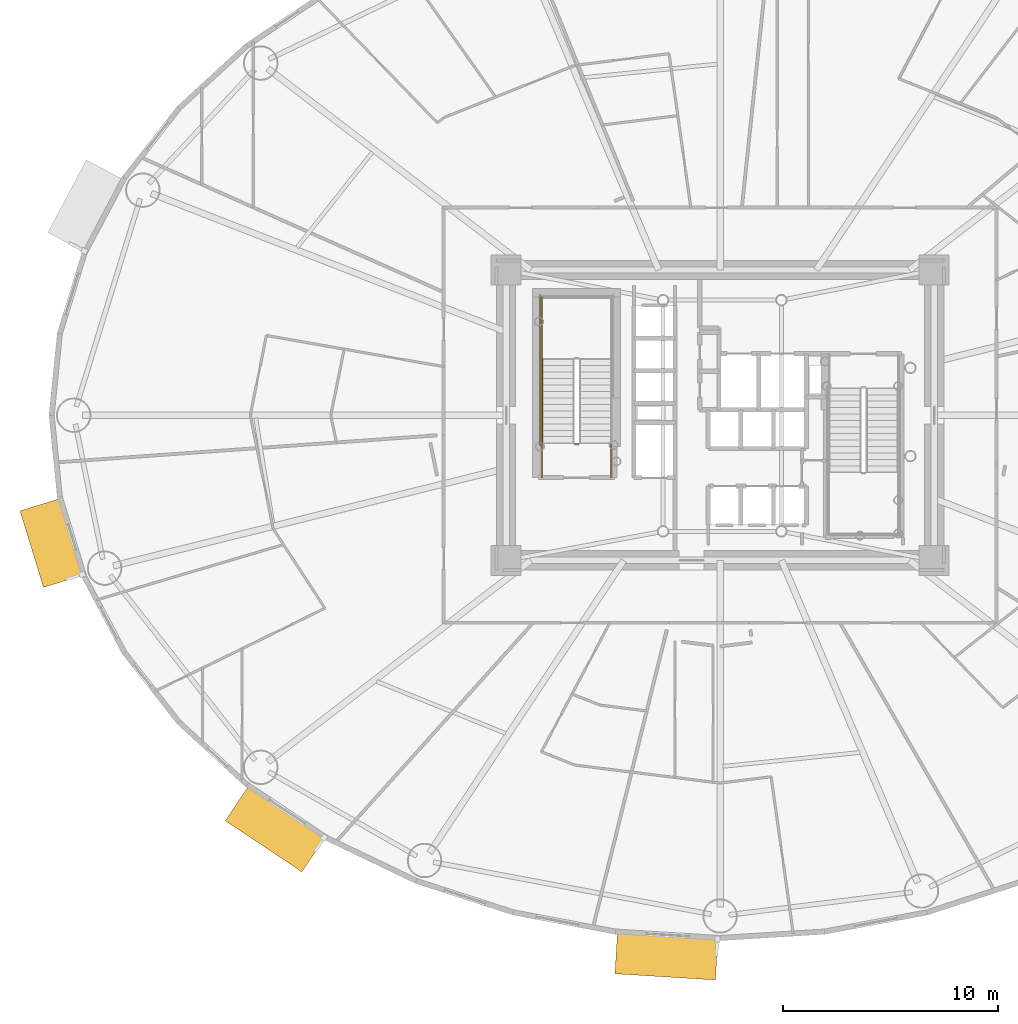
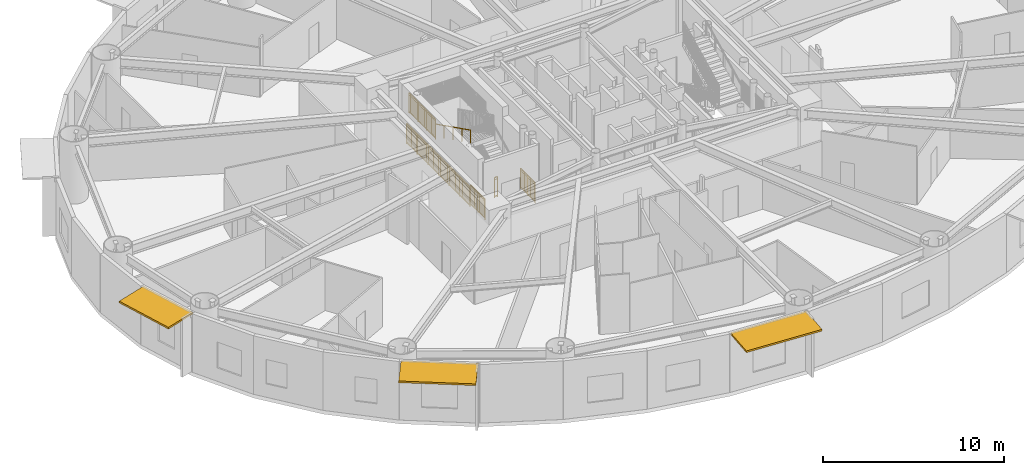
# One storey, part 15 of 21: 6 railings, 3 shading devices.
"""IFC4 building model written with IfcOpenShell, lengths in metres."""

from ifc_helpers import new_model, si_unit, direction, frame, origin, origin_2d, place, context, subcontext, project, spatial, rectangle, extrude, source, transform, mapped, material, layer, layer_set, type_object, element, save


model = new_model("IFC4")

# Units and contexts
model_context = context("Model", 3, precision=1e-05, world=origin(), true_north=direction((0.0, 1.0)))
body_context = subcontext(model_context, "Body", "Model", "MODEL_VIEW")
ifc_project = project(units=[si_unit("LENGTHUNIT", "METRE"), si_unit("AREAUNIT", "SQUARE_METRE"), si_unit("VOLUMEUNIT", "CUBIC_METRE"), si_unit("PLANEANGLEUNIT", "RADIAN"), si_unit("MASSUNIT", "GRAM", prefix="KILO")], contexts=[model_context])

# Site, building, storey
site_placement = place(None, origin())
site = spatial("IfcSite", under=ifc_project, at=site_placement, CompositionType="ELEMENT")
building_placement = place(site_placement, origin())
building = spatial("IfcBuilding", under=site, at=building_placement, Name="Linh Dai School and Residence Tower", CompositionType="ELEMENT")
storey_placement = place(building_placement, frame((0.0, 0.0, 61.800048828125)))
storey = spatial("IfcBuildingStorey", under=building, at=storey_placement, Name="L14", CompositionType="ELEMENT", Elevation=61.800048828125)

# Shading devices
ifc_material_1 = material(Name="Terracotta Ceramic Sunshade", Category="masonry")
ifc_layer = layer(ifc_material_1, 0.1201171875)
ifc_layer_set = layer_set([ifc_layer], Name="Terracotta Ceramic Sunshade")
shading_device_type = type_object("IfcShadingDeviceType", Name="SHD-TC-2000", PredefinedType="USERDEFINED", material=ifc_layer_set)
shared_shape_1 = source(origin(), body_context, "Body", "SweptSolid", [
    extrude(rectangle(XDim=3.7197265625, YDim=2.0, at=origin_2d()), origin(), (0.0, 0.0, 1.0), 0.1201171875),
])
shading_device_1_placement = place(storey_placement, frame((4.956787109375, 21.0693359375, 3.809814453125), z_axis=(0.0, 0.0, 1.0), x_axis=(-0.293145733514, 0.956067769001, 0.0)))
element("IfcShadingDevice", 1, at=shading_device_1_placement, inside=storey, type_object=shading_device_type, Name="L14 Terracotta Horizontal Sunshade Band 22", ObjectType="SUNSHADE", PredefinedType="USERDEFINED", context=body_context, shape_type="MappedRepresentation", body=[
    mapped(shared_shape_1, transform((0.0, 0.0, 0.0), x_axis=(1.0, 0.0, 0.0), y_axis=(0.0, 1.0, 0.0), z_axis=(0.0, 0.0, 1.0), scale=1.0)),
])
shared_shape_2 = source(origin(), body_context, "Body", "SweptSolid", [
    extrude(rectangle(XDim=4.28173828125, YDim=2.0, at=origin_2d()), origin(), (0.0, 0.0, 1.0), 0.1201171875),
])
shading_device_2_placement = place(storey_placement, frame((15.33544921875, 7.7861328125, 3.809814453125), z_axis=(0.0, 0.0, 1.0), x_axis=(-0.831250578927, 0.555897899828, 0.0)))
element("IfcShadingDevice", 2, at=shading_device_2_placement, inside=storey, type_object=shading_device_type, Name="L14 Terracotta Horizontal Sunshade Band 26", ObjectType="SUNSHADE", PredefinedType="USERDEFINED", context=body_context, shape_type="MappedRepresentation", body=[
    mapped(shared_shape_2, transform((0.0, 0.0, 0.0), x_axis=(1.0, 0.0, 0.0), y_axis=(0.0, 1.0, 0.0), z_axis=(0.0, 0.0, 1.0), scale=1.0)),
])
shared_shape_3 = source(origin(), body_context, "Body", "SweptSolid", [
    extrude(rectangle(XDim=4.6796875, YDim=2.0, at=origin_2d()), origin(), (0.0, 0.0, 1.0), 0.1201171875),
])
shading_device_3_placement = place(storey_placement, frame((33.50830078125, 1.88671875, 3.809814453125), z_axis=(0.0, 0.0, 1.0), x_axis=(-0.998106677027, 0.061506595367, 0.0)))
element("IfcShadingDevice", 3, at=shading_device_3_placement, inside=storey, type_object=shading_device_type, Name="L14 Terracotta Horizontal Sunshade Band 30", ObjectType="SUNSHADE", PredefinedType="USERDEFINED", context=body_context, shape_type="MappedRepresentation", body=[
    mapped(shared_shape_3, transform((0.0, 0.0, 0.0), x_axis=(1.0, 0.0, 0.0), y_axis=(0.0, 1.0, 0.0), z_axis=(0.0, 0.0, 1.0), scale=1.0)),
])

# Railings
ifc_material_2 = material(Name="Structural Steel S355JR", Category="steel")
railing_type_1 = type_object("IfcRailingType", Name="RL-ST-GUARD-1400", PredefinedType="GUARDRAIL", material=ifc_material_2)
shared_shape_4 = source(origin(), body_context, "Body", "SweptSolid", [
    extrude(rectangle(XDim=0.048095703125, YDim=0.048095703125, at=origin_2d()), frame((0.0, 0.0, 1.3759765625), z_axis=(-1.0, 0.0, 0.0), x_axis=(0.0, -1.0, 0.0)), (0.0, 0.0, 1.0), 0.199951171875),
    extrude(rectangle(XDim=0.048095703125, YDim=0.048095703125, at=origin_2d()), frame((0.0, 0.0, 0.10009765625), z_axis=(-1.0, 0.0, 0.0), x_axis=(0.0, -1.0, 0.0)), (0.0, 0.0, 1.0), 0.199951171875),
    extrude(rectangle(XDim=0.030029296875, YDim=0.030029296875, at=origin_2d()), frame((0.0, 0.0, 1.239990234375), z_axis=(-1.0, 0.0, 0.0), x_axis=(0.0, -1.0, 0.0)), (0.0, 0.0, 1.0), 0.199951171875),
    extrude(rectangle(XDim=0.0419921875, YDim=0.0419921875, at=origin_2d()), origin(), (0.0, 0.0, 1.0), 1.3759765625),
    extrude(rectangle(XDim=0.0419921875, YDim=0.0419921875, at=origin_2d()), frame((-0.199951171875, 0.0, 0.0)), (0.0, 0.0, 1.0), 1.3759765625),
])
railing_1_placement = place(storey_placement, frame((29.429931640625, 25.64990234375, 0.0)))
element("IfcRailing", 4, at=railing_1_placement, inside=storey, type_object=railing_type_1, Name="L14 ST1 stair guard 7", PredefinedType="GUARDRAIL", context=body_context, shape_type="MappedRepresentation", body=[
    mapped(shared_shape_4, transform((0.0, 0.0, 0.0), x_axis=(1.0, 0.0, 0.0), y_axis=(0.0, 1.0, 0.0), z_axis=(0.0, 0.0, 1.0), scale=1.0)),
])
shared_shape_5 = source(origin(), body_context, "Body", "SweptSolid", [
    extrude(rectangle(XDim=0.048095703125, YDim=0.048095703125, at=origin_2d()), frame((0.0, 0.0, 1.3759765625), z_axis=(0.0, 1.0, 0.0), x_axis=(-1.0, 0.0, 0.0)), (0.0, 0.0, 1.0), 1.599853515625),
    extrude(rectangle(XDim=0.048095703125, YDim=0.048095703125, at=origin_2d()), frame((0.0, 0.0, 0.10009765625), z_axis=(0.0, 1.0, 0.0), x_axis=(-1.0, 0.0, 0.0)), (0.0, 0.0, 1.0), 1.599853515625),
    extrude(rectangle(XDim=0.030029296875, YDim=0.030029296875, at=origin_2d()), frame((0.0, 0.0, 1.239990234375), z_axis=(0.0, 1.0, 0.0), x_axis=(-1.0, 0.0, 0.0)), (0.0, 0.0, 1.0), 1.599853515625),
    extrude(rectangle(XDim=0.02001953125, YDim=0.02001953125, at=origin_2d()), frame((0.0, 0.093994140625, 0.10009765625)), (0.0, 0.0, 1.0), 1.251708984375),
    extrude(rectangle(XDim=0.02001953125, YDim=0.02001953125, at=origin_2d()), frame((0.0, 0.188232421875, 0.10009765625)), (0.0, 0.0, 1.0), 1.251708984375),
    extrude(rectangle(XDim=0.02001953125, YDim=0.02001953125, at=origin_2d()), frame((0.0, 0.2822265625, 0.10009765625)), (0.0, 0.0, 1.0), 1.251708984375),
    extrude(rectangle(XDim=0.02001953125, YDim=0.02001953125, at=origin_2d()), frame((0.0, 0.37646484375, 0.10009765625)), (0.0, 0.0, 1.0), 1.251708984375),
    extrude(rectangle(XDim=0.02001953125, YDim=0.02001953125, at=origin_2d()), frame((0.0, 0.470458984375, 0.10009765625)), (0.0, 0.0, 1.0), 1.251708984375),
    extrude(rectangle(XDim=0.02001953125, YDim=0.02001953125, at=origin_2d()), frame((0.0, 0.564697265625, 0.10009765625)), (0.0, 0.0, 1.0), 1.251708984375),
    extrude(rectangle(XDim=0.02001953125, YDim=0.02001953125, at=origin_2d()), frame((0.0, 0.65869140625, 0.10009765625)), (0.0, 0.0, 1.0), 1.251708984375),
    extrude(rectangle(XDim=0.02001953125, YDim=0.02001953125, at=origin_2d()), frame((0.0, 0.7529296875, 0.10009765625)), (0.0, 0.0, 1.0), 1.251708984375),
    extrude(rectangle(XDim=0.02001953125, YDim=0.02001953125, at=origin_2d()), frame((0.0, 0.846923828125, 0.10009765625)), (0.0, 0.0, 1.0), 1.251708984375),
    extrude(rectangle(XDim=0.02001953125, YDim=0.02001953125, at=origin_2d()), frame((0.0, 0.941162109375, 0.10009765625)), (0.0, 0.0, 1.0), 1.251708984375),
    extrude(rectangle(XDim=0.02001953125, YDim=0.02001953125, at=origin_2d()), frame((0.0, 1.03515625, 0.10009765625)), (0.0, 0.0, 1.0), 1.251708984375),
    extrude(rectangle(XDim=0.02001953125, YDim=0.02001953125, at=origin_2d()), frame((0.0, 1.12939453125, 0.10009765625)), (0.0, 0.0, 1.0), 1.251708984375),
    extrude(rectangle(XDim=0.02001953125, YDim=0.02001953125, at=origin_2d()), frame((0.0, 1.223388671875, 0.10009765625)), (0.0, 0.0, 1.0), 1.251708984375),
    extrude(rectangle(XDim=0.02001953125, YDim=0.02001953125, at=origin_2d()), frame((0.0, 1.317626953125, 0.10009765625)), (0.0, 0.0, 1.0), 1.251708984375),
    extrude(rectangle(XDim=0.02001953125, YDim=0.02001953125, at=origin_2d()), frame((0.0, 1.41162109375, 0.10009765625)), (0.0, 0.0, 1.0), 1.251708984375),
    extrude(rectangle(XDim=0.02001953125, YDim=0.02001953125, at=origin_2d()), frame((0.0, 1.505859375, 0.10009765625)), (0.0, 0.0, 1.0), 1.251708984375),
    extrude(rectangle(XDim=0.0419921875, YDim=0.0419921875, at=origin_2d()), origin(), (0.0, 0.0, 1.0), 1.3759765625),
    extrude(rectangle(XDim=0.0419921875, YDim=0.0419921875, at=origin_2d()), frame((0.0, 0.7998046875, 0.0)), (0.0, 0.0, 1.0), 1.3759765625),
    extrude(rectangle(XDim=0.0419921875, YDim=0.0419921875, at=origin_2d()), frame((0.0, 1.599853515625, 0.0)), (0.0, 0.0, 1.0), 1.3759765625),
])
for number, where, name in (
    (5, (30.929931640625, 24.10009765625, 0.0), "L14 ST1 stair guard 8"),
    (6, (27.72998046875, 24.10009765625, 0.0), "L14 ST1 stair guard 9"),
):
    element("IfcRailing", number, at=place(storey_placement, frame(where)), inside=storey, type_object=railing_type_1, Name=name, PredefinedType="GUARDRAIL", context=body_context, shape_type="MappedRepresentation", body=[
        mapped(shared_shape_5, transform((0.0, 0.0, 0.0), x_axis=(1.0, 0.0, 0.0), y_axis=(0.0, 1.0, 0.0), z_axis=(0.0, 0.0, 1.0), scale=1.0)),
    ])
shared_shape_6 = source(origin(), body_context, "Body", "SweptSolid", [
    extrude(rectangle(XDim=0.048095703125, YDim=0.048095703125, at=origin_2d()), frame((0.0, 0.0, 1.3759765625), z_axis=(0.0, 1.0, 0.0), x_axis=(-1.0, 0.0, 0.0)), (0.0, 0.0, 1.0), 7.0),
    extrude(rectangle(XDim=0.048095703125, YDim=0.048095703125, at=origin_2d()), frame((0.0, 0.0, 0.10009765625), z_axis=(0.0, 1.0, 0.0), x_axis=(-1.0, 0.0, 0.0)), (0.0, 0.0, 1.0), 7.0),
    extrude(rectangle(XDim=0.030029296875, YDim=0.030029296875, at=origin_2d()), frame((0.0, 0.0, 1.239990234375), z_axis=(0.0, 1.0, 0.0), x_axis=(-1.0, 0.0, 0.0)), (0.0, 0.0, 1.0), 7.0),
    extrude(rectangle(XDim=0.02001953125, YDim=0.02001953125, at=origin_2d()), frame((0.0, 0.09716796875, 0.10009765625)), (0.0, 0.0, 1.0), 1.251708984375),
    extrude(rectangle(XDim=0.02001953125, YDim=0.02001953125, at=origin_2d()), frame((0.0, 0.1943359375, 0.10009765625)), (0.0, 0.0, 1.0), 1.251708984375),
    extrude(rectangle(XDim=0.02001953125, YDim=0.02001953125, at=origin_2d()), frame((0.0, 0.291748046875, 0.10009765625)), (0.0, 0.0, 1.0), 1.251708984375),
    extrude(rectangle(XDim=0.02001953125, YDim=0.02001953125, at=origin_2d()), frame((0.0, 0.388916015625, 0.10009765625)), (0.0, 0.0, 1.0), 1.251708984375),
    extrude(rectangle(XDim=0.02001953125, YDim=0.02001953125, at=origin_2d()), frame((0.0, 0.486083984375, 0.10009765625)), (0.0, 0.0, 1.0), 1.251708984375),
    extrude(rectangle(XDim=0.02001953125, YDim=0.02001953125, at=origin_2d()), frame((0.0, 0.583251953125, 0.10009765625)), (0.0, 0.0, 1.0), 1.251708984375),
    extrude(rectangle(XDim=0.02001953125, YDim=0.02001953125, at=origin_2d()), frame((0.0, 0.6806640625, 0.10009765625)), (0.0, 0.0, 1.0), 1.251708984375),
    extrude(rectangle(XDim=0.02001953125, YDim=0.02001953125, at=origin_2d()), frame((0.0, 0.77783203125, 0.10009765625)), (0.0, 0.0, 1.0), 1.251708984375),
    extrude(rectangle(XDim=0.02001953125, YDim=0.02001953125, at=origin_2d()), frame((0.0, 0.875, 0.10009765625)), (0.0, 0.0, 1.0), 1.251708984375),
    extrude(rectangle(XDim=0.02001953125, YDim=0.02001953125, at=origin_2d()), frame((0.0, 0.97216796875, 0.10009765625)), (0.0, 0.0, 1.0), 1.251708984375),
    extrude(rectangle(XDim=0.02001953125, YDim=0.02001953125, at=origin_2d()), frame((0.0, 1.0693359375, 0.10009765625)), (0.0, 0.0, 1.0), 1.251708984375),
    extrude(rectangle(XDim=0.02001953125, YDim=0.02001953125, at=origin_2d()), frame((0.0, 1.263916015625, 0.10009765625)), (0.0, 0.0, 1.0), 1.251708984375),
    extrude(rectangle(XDim=0.02001953125, YDim=0.02001953125, at=origin_2d()), frame((0.0, 1.361083984375, 0.10009765625)), (0.0, 0.0, 1.0), 1.251708984375),
    extrude(rectangle(XDim=0.02001953125, YDim=0.02001953125, at=origin_2d()), frame((0.0, 1.458251953125, 0.10009765625)), (0.0, 0.0, 1.0), 1.251708984375),
    extrude(rectangle(XDim=0.02001953125, YDim=0.02001953125, at=origin_2d()), frame((0.0, 1.5556640625, 0.10009765625)), (0.0, 0.0, 1.0), 1.251708984375),
    extrude(rectangle(XDim=0.02001953125, YDim=0.02001953125, at=origin_2d()), frame((0.0, 1.65283203125, 0.10009765625)), (0.0, 0.0, 1.0), 1.251708984375),
    extrude(rectangle(XDim=0.02001953125, YDim=0.02001953125, at=origin_2d()), frame((0.0, 1.75, 0.10009765625)), (0.0, 0.0, 1.0), 1.251708984375),
    extrude(rectangle(XDim=0.02001953125, YDim=0.02001953125, at=origin_2d()), frame((0.0, 1.84716796875, 0.10009765625)), (0.0, 0.0, 1.0), 1.251708984375),
    extrude(rectangle(XDim=0.02001953125, YDim=0.02001953125, at=origin_2d()), frame((0.0, 1.9443359375, 0.10009765625)), (0.0, 0.0, 1.0), 1.251708984375),
    extrude(rectangle(XDim=0.02001953125, YDim=0.02001953125, at=origin_2d()), frame((0.0, 2.041748046875, 0.10009765625)), (0.0, 0.0, 1.0), 1.251708984375),
    extrude(rectangle(XDim=0.02001953125, YDim=0.02001953125, at=origin_2d()), frame((0.0, 2.138916015625, 0.10009765625)), (0.0, 0.0, 1.0), 1.251708984375),
    extrude(rectangle(XDim=0.02001953125, YDim=0.02001953125, at=origin_2d()), frame((0.0, 2.236083984375, 0.10009765625)), (0.0, 0.0, 1.0), 1.251708984375),
    extrude(rectangle(XDim=0.02001953125, YDim=0.02001953125, at=origin_2d()), frame((0.0, 2.4306640625, 0.10009765625)), (0.0, 0.0, 1.0), 1.251708984375),
    extrude(rectangle(XDim=0.02001953125, YDim=0.02001953125, at=origin_2d()), frame((0.0, 2.52783203125, 0.10009765625)), (0.0, 0.0, 1.0), 1.251708984375),
    extrude(rectangle(XDim=0.02001953125, YDim=0.02001953125, at=origin_2d()), frame((0.0, 2.625, 0.10009765625)), (0.0, 0.0, 1.0), 1.251708984375),
    extrude(rectangle(XDim=0.02001953125, YDim=0.02001953125, at=origin_2d()), frame((0.0, 2.72216796875, 0.10009765625)), (0.0, 0.0, 1.0), 1.251708984375),
    extrude(rectangle(XDim=0.02001953125, YDim=0.02001953125, at=origin_2d()), frame((0.0, 2.8193359375, 0.10009765625)), (0.0, 0.0, 1.0), 1.251708984375),
    extrude(rectangle(XDim=0.02001953125, YDim=0.02001953125, at=origin_2d()), frame((0.0, 2.916748046875, 0.10009765625)), (0.0, 0.0, 1.0), 1.251708984375),
    extrude(rectangle(XDim=0.02001953125, YDim=0.02001953125, at=origin_2d()), frame((0.0, 3.013916015625, 0.10009765625)), (0.0, 0.0, 1.0), 1.251708984375),
    extrude(rectangle(XDim=0.02001953125, YDim=0.02001953125, at=origin_2d()), frame((0.0, 3.111083984375, 0.10009765625)), (0.0, 0.0, 1.0), 1.251708984375),
    extrude(rectangle(XDim=0.02001953125, YDim=0.02001953125, at=origin_2d()), frame((0.0, 3.208251953125, 0.10009765625)), (0.0, 0.0, 1.0), 1.251708984375),
    extrude(rectangle(XDim=0.02001953125, YDim=0.02001953125, at=origin_2d()), frame((0.0, 3.3056640625, 0.10009765625)), (0.0, 0.0, 1.0), 1.251708984375),
    extrude(rectangle(XDim=0.02001953125, YDim=0.02001953125, at=origin_2d()), frame((0.0, 3.40283203125, 0.10009765625)), (0.0, 0.0, 1.0), 1.251708984375),
    extrude(rectangle(XDim=0.02001953125, YDim=0.02001953125, at=origin_2d()), frame((0.0, 3.59716796875, 0.10009765625)), (0.0, 0.0, 1.0), 1.251708984375),
    extrude(rectangle(XDim=0.02001953125, YDim=0.02001953125, at=origin_2d()), frame((0.0, 3.6943359375, 0.10009765625)), (0.0, 0.0, 1.0), 1.251708984375),
    extrude(rectangle(XDim=0.02001953125, YDim=0.02001953125, at=origin_2d()), frame((0.0, 3.791748046875, 0.10009765625)), (0.0, 0.0, 1.0), 1.251708984375),
    extrude(rectangle(XDim=0.02001953125, YDim=0.02001953125, at=origin_2d()), frame((0.0, 3.888916015625, 0.10009765625)), (0.0, 0.0, 1.0), 1.251708984375),
    extrude(rectangle(XDim=0.02001953125, YDim=0.02001953125, at=origin_2d()), frame((0.0, 3.986083984375, 0.10009765625)), (0.0, 0.0, 1.0), 1.251708984375),
    extrude(rectangle(XDim=0.02001953125, YDim=0.02001953125, at=origin_2d()), frame((0.0, 4.083251953125, 0.10009765625)), (0.0, 0.0, 1.0), 1.251708984375),
    extrude(rectangle(XDim=0.02001953125, YDim=0.02001953125, at=origin_2d()), frame((0.0, 4.1806640625, 0.10009765625)), (0.0, 0.0, 1.0), 1.251708984375),
    extrude(rectangle(XDim=0.02001953125, YDim=0.02001953125, at=origin_2d()), frame((0.0, 4.27783203125, 0.10009765625)), (0.0, 0.0, 1.0), 1.251708984375),
    extrude(rectangle(XDim=0.02001953125, YDim=0.02001953125, at=origin_2d()), frame((0.0, 4.375, 0.10009765625)), (0.0, 0.0, 1.0), 1.251708984375),
    extrude(rectangle(XDim=0.02001953125, YDim=0.02001953125, at=origin_2d()), frame((0.0, 4.47216796875, 0.10009765625)), (0.0, 0.0, 1.0), 1.251708984375),
    extrude(rectangle(XDim=0.02001953125, YDim=0.02001953125, at=origin_2d()), frame((0.0, 4.5693359375, 0.10009765625)), (0.0, 0.0, 1.0), 1.251708984375),
    extrude(rectangle(XDim=0.02001953125, YDim=0.02001953125, at=origin_2d()), frame((0.0, 4.763916015625, 0.10009765625)), (0.0, 0.0, 1.0), 1.251708984375),
    extrude(rectangle(XDim=0.02001953125, YDim=0.02001953125, at=origin_2d()), frame((0.0, 4.861083984375, 0.10009765625)), (0.0, 0.0, 1.0), 1.251708984375),
    extrude(rectangle(XDim=0.02001953125, YDim=0.02001953125, at=origin_2d()), frame((0.0, 4.958251953125, 0.10009765625)), (0.0, 0.0, 1.0), 1.251708984375),
    extrude(rectangle(XDim=0.02001953125, YDim=0.02001953125, at=origin_2d()), frame((0.0, 5.0556640625, 0.10009765625)), (0.0, 0.0, 1.0), 1.251708984375),
    extrude(rectangle(XDim=0.02001953125, YDim=0.02001953125, at=origin_2d()), frame((0.0, 5.15283203125, 0.10009765625)), (0.0, 0.0, 1.0), 1.251708984375),
    extrude(rectangle(XDim=0.02001953125, YDim=0.02001953125, at=origin_2d()), frame((0.0, 5.25, 0.10009765625)), (0.0, 0.0, 1.0), 1.251708984375),
    extrude(rectangle(XDim=0.02001953125, YDim=0.02001953125, at=origin_2d()), frame((0.0, 5.34716796875, 0.10009765625)), (0.0, 0.0, 1.0), 1.251708984375),
    extrude(rectangle(XDim=0.02001953125, YDim=0.02001953125, at=origin_2d()), frame((0.0, 5.4443359375, 0.10009765625)), (0.0, 0.0, 1.0), 1.251708984375),
    extrude(rectangle(XDim=0.02001953125, YDim=0.02001953125, at=origin_2d()), frame((0.0, 5.541748046875, 0.10009765625)), (0.0, 0.0, 1.0), 1.251708984375),
    extrude(rectangle(XDim=0.02001953125, YDim=0.02001953125, at=origin_2d()), frame((0.0, 5.638916015625, 0.10009765625)), (0.0, 0.0, 1.0), 1.251708984375),
    extrude(rectangle(XDim=0.02001953125, YDim=0.02001953125, at=origin_2d()), frame((0.0, 5.736083984375, 0.10009765625)), (0.0, 0.0, 1.0), 1.251708984375),
    extrude(rectangle(XDim=0.02001953125, YDim=0.02001953125, at=origin_2d()), frame((0.0, 5.9306640625, 0.10009765625)), (0.0, 0.0, 1.0), 1.251708984375),
    extrude(rectangle(XDim=0.02001953125, YDim=0.02001953125, at=origin_2d()), frame((0.0, 6.02783203125, 0.10009765625)), (0.0, 0.0, 1.0), 1.251708984375),
    extrude(rectangle(XDim=0.02001953125, YDim=0.02001953125, at=origin_2d()), frame((0.0, 6.125, 0.10009765625)), (0.0, 0.0, 1.0), 1.251708984375),
    extrude(rectangle(XDim=0.02001953125, YDim=0.02001953125, at=origin_2d()), frame((0.0, 6.22216796875, 0.10009765625)), (0.0, 0.0, 1.0), 1.251708984375),
    extrude(rectangle(XDim=0.02001953125, YDim=0.02001953125, at=origin_2d()), frame((0.0, 6.3193359375, 0.10009765625)), (0.0, 0.0, 1.0), 1.251708984375),
    extrude(rectangle(XDim=0.02001953125, YDim=0.02001953125, at=origin_2d()), frame((0.0, 6.416748046875, 0.10009765625)), (0.0, 0.0, 1.0), 1.251708984375),
    extrude(rectangle(XDim=0.02001953125, YDim=0.02001953125, at=origin_2d()), frame((0.0, 6.513916015625, 0.10009765625)), (0.0, 0.0, 1.0), 1.251708984375),
    extrude(rectangle(XDim=0.02001953125, YDim=0.02001953125, at=origin_2d()), frame((0.0, 6.611083984375, 0.10009765625)), (0.0, 0.0, 1.0), 1.251708984375),
    extrude(rectangle(XDim=0.02001953125, YDim=0.02001953125, at=origin_2d()), frame((0.0, 6.708251953125, 0.10009765625)), (0.0, 0.0, 1.0), 1.251708984375),
    extrude(rectangle(XDim=0.02001953125, YDim=0.02001953125, at=origin_2d()), frame((0.0, 6.8056640625, 0.10009765625)), (0.0, 0.0, 1.0), 1.251708984375),
    extrude(rectangle(XDim=0.02001953125, YDim=0.02001953125, at=origin_2d()), frame((0.0, 6.90283203125, 0.10009765625)), (0.0, 0.0, 1.0), 1.251708984375),
    extrude(rectangle(XDim=0.0419921875, YDim=0.0419921875, at=origin_2d()), origin(), (0.0, 0.0, 1.0), 1.3759765625),
    extrude(rectangle(XDim=0.0419921875, YDim=0.0419921875, at=origin_2d()), frame((0.0, 1.166748046875, 0.0)), (0.0, 0.0, 1.0), 1.3759765625),
    extrude(rectangle(XDim=0.0419921875, YDim=0.0419921875, at=origin_2d()), frame((0.0, 2.333251953125, 0.0)), (0.0, 0.0, 1.0), 1.3759765625),
    extrude(rectangle(XDim=0.0419921875, YDim=0.0419921875, at=origin_2d()), frame((0.0, 3.5, 0.0)), (0.0, 0.0, 1.0), 1.3759765625),
    extrude(rectangle(XDim=0.0419921875, YDim=0.0419921875, at=origin_2d()), frame((0.0, 4.666748046875, 0.0)), (0.0, 0.0, 1.0), 1.3759765625),
    extrude(rectangle(XDim=0.0419921875, YDim=0.0419921875, at=origin_2d()), frame((0.0, 5.833251953125, 0.0)), (0.0, 0.0, 1.0), 1.3759765625),
    extrude(rectangle(XDim=0.0419921875, YDim=0.0419921875, at=origin_2d()), frame((0.0, 7.0, 0.0)), (0.0, 0.0, 1.0), 1.3759765625),
])
railing_2_placement = place(storey_placement, frame((27.6298828125, 25.60009765625, 0.0)))
element("IfcRailing", 7, at=railing_2_placement, inside=storey, type_object=railing_type_1, Name="L14 ST1 stair guard 11", PredefinedType="GUARDRAIL", context=body_context, shape_type="MappedRepresentation", body=[
    mapped(shared_shape_6, transform((0.0, 0.0, 0.0), x_axis=(1.0, 0.0, 0.0), y_axis=(0.0, 1.0, 0.0), z_axis=(0.0, 0.0, 1.0), scale=1.0)),
])
shared_shape_7 = source(origin(), body_context, "Body", "SweptSolid", [
    extrude(rectangle(XDim=0.048095703125, YDim=0.048095703125, at=origin_2d()), frame((0.0, 0.0, 1.3759765625), z_axis=(0.0, 1.0, 0.0), x_axis=(-1.0, 0.0, 0.0)), (0.0, 0.0, 1.0), 2.89990234375),
    extrude(rectangle(XDim=0.048095703125, YDim=0.048095703125, at=origin_2d()), frame((0.0, 0.0, 0.10009765625), z_axis=(0.0, 1.0, 0.0), x_axis=(-1.0, 0.0, 0.0)), (0.0, 0.0, 1.0), 2.89990234375),
    extrude(rectangle(XDim=0.030029296875, YDim=0.030029296875, at=origin_2d()), frame((0.0, 0.0, 1.239990234375), z_axis=(0.0, 1.0, 0.0), x_axis=(-1.0, 0.0, 0.0)), (0.0, 0.0, 1.0), 2.89990234375),
    extrude(rectangle(XDim=0.02001953125, YDim=0.02001953125, at=origin_2d()), frame((0.0, 0.0966796875, 0.10009765625)), (0.0, 0.0, 1.0), 1.251708984375),
    extrude(rectangle(XDim=0.02001953125, YDim=0.02001953125, at=origin_2d()), frame((0.0, 0.193359375, 0.10009765625)), (0.0, 0.0, 1.0), 1.251708984375),
    extrude(rectangle(XDim=0.02001953125, YDim=0.02001953125, at=origin_2d()), frame((0.0, 0.2900390625, 0.10009765625)), (0.0, 0.0, 1.0), 1.251708984375),
    extrude(rectangle(XDim=0.02001953125, YDim=0.02001953125, at=origin_2d()), frame((0.0, 0.38671875, 0.10009765625)), (0.0, 0.0, 1.0), 1.251708984375),
    extrude(rectangle(XDim=0.02001953125, YDim=0.02001953125, at=origin_2d()), frame((0.0, 0.4833984375, 0.10009765625)), (0.0, 0.0, 1.0), 1.251708984375),
    extrude(rectangle(XDim=0.02001953125, YDim=0.02001953125, at=origin_2d()), frame((0.0, 0.580078125, 0.10009765625)), (0.0, 0.0, 1.0), 1.251708984375),
    extrude(rectangle(XDim=0.02001953125, YDim=0.02001953125, at=origin_2d()), frame((0.0, 0.6767578125, 0.10009765625)), (0.0, 0.0, 1.0), 1.251708984375),
    extrude(rectangle(XDim=0.02001953125, YDim=0.02001953125, at=origin_2d()), frame((0.0, 0.773193359375, 0.10009765625)), (0.0, 0.0, 1.0), 1.251708984375),
    extrude(rectangle(XDim=0.02001953125, YDim=0.02001953125, at=origin_2d()), frame((0.0, 0.869873046875, 0.10009765625)), (0.0, 0.0, 1.0), 1.251708984375),
    extrude(rectangle(XDim=0.02001953125, YDim=0.02001953125, at=origin_2d()), frame((0.0, 1.063232421875, 0.10009765625)), (0.0, 0.0, 1.0), 1.251708984375),
    extrude(rectangle(XDim=0.02001953125, YDim=0.02001953125, at=origin_2d()), frame((0.0, 1.159912109375, 0.10009765625)), (0.0, 0.0, 1.0), 1.251708984375),
    extrude(rectangle(XDim=0.02001953125, YDim=0.02001953125, at=origin_2d()), frame((0.0, 1.256591796875, 0.10009765625)), (0.0, 0.0, 1.0), 1.251708984375),
    extrude(rectangle(XDim=0.02001953125, YDim=0.02001953125, at=origin_2d()), frame((0.0, 1.353271484375, 0.10009765625)), (0.0, 0.0, 1.0), 1.251708984375),
    extrude(rectangle(XDim=0.02001953125, YDim=0.02001953125, at=origin_2d()), frame((0.0, 1.449951171875, 0.10009765625)), (0.0, 0.0, 1.0), 1.251708984375),
    extrude(rectangle(XDim=0.02001953125, YDim=0.02001953125, at=origin_2d()), frame((0.0, 1.546630859375, 0.10009765625)), (0.0, 0.0, 1.0), 1.251708984375),
    extrude(rectangle(XDim=0.02001953125, YDim=0.02001953125, at=origin_2d()), frame((0.0, 1.643310546875, 0.10009765625)), (0.0, 0.0, 1.0), 1.251708984375),
    extrude(rectangle(XDim=0.02001953125, YDim=0.02001953125, at=origin_2d()), frame((0.0, 1.739990234375, 0.10009765625)), (0.0, 0.0, 1.0), 1.251708984375),
    extrude(rectangle(XDim=0.02001953125, YDim=0.02001953125, at=origin_2d()), frame((0.0, 1.836669921875, 0.10009765625)), (0.0, 0.0, 1.0), 1.251708984375),
    extrude(rectangle(XDim=0.02001953125, YDim=0.02001953125, at=origin_2d()), frame((0.0, 2.030029296875, 0.10009765625)), (0.0, 0.0, 1.0), 1.251708984375),
    extrude(rectangle(XDim=0.02001953125, YDim=0.02001953125, at=origin_2d()), frame((0.0, 2.126708984375, 0.10009765625)), (0.0, 0.0, 1.0), 1.251708984375),
    extrude(rectangle(XDim=0.02001953125, YDim=0.02001953125, at=origin_2d()), frame((0.0, 2.22314453125, 0.10009765625)), (0.0, 0.0, 1.0), 1.251708984375),
    extrude(rectangle(XDim=0.02001953125, YDim=0.02001953125, at=origin_2d()), frame((0.0, 2.31982421875, 0.10009765625)), (0.0, 0.0, 1.0), 1.251708984375),
    extrude(rectangle(XDim=0.02001953125, YDim=0.02001953125, at=origin_2d()), frame((0.0, 2.41650390625, 0.10009765625)), (0.0, 0.0, 1.0), 1.251708984375),
    extrude(rectangle(XDim=0.02001953125, YDim=0.02001953125, at=origin_2d()), frame((0.0, 2.51318359375, 0.10009765625)), (0.0, 0.0, 1.0), 1.251708984375),
    extrude(rectangle(XDim=0.02001953125, YDim=0.02001953125, at=origin_2d()), frame((0.0, 2.60986328125, 0.10009765625)), (0.0, 0.0, 1.0), 1.251708984375),
    extrude(rectangle(XDim=0.02001953125, YDim=0.02001953125, at=origin_2d()), frame((0.0, 2.70654296875, 0.10009765625)), (0.0, 0.0, 1.0), 1.251708984375),
    extrude(rectangle(XDim=0.02001953125, YDim=0.02001953125, at=origin_2d()), frame((0.0, 2.80322265625, 0.10009765625)), (0.0, 0.0, 1.0), 1.251708984375),
    extrude(rectangle(XDim=0.0419921875, YDim=0.0419921875, at=origin_2d()), origin(), (0.0, 0.0, 1.0), 1.3759765625),
    extrude(rectangle(XDim=0.0419921875, YDim=0.0419921875, at=origin_2d()), frame((0.0, 0.966552734375, 0.0)), (0.0, 0.0, 1.0), 1.3759765625),
    extrude(rectangle(XDim=0.0419921875, YDim=0.0419921875, at=origin_2d()), frame((0.0, 1.933349609375, 0.0)), (0.0, 0.0, 1.0), 1.3759765625),
    extrude(rectangle(XDim=0.0419921875, YDim=0.0419921875, at=origin_2d()), frame((0.0, 2.89990234375, 0.0)), (0.0, 0.0, 1.0), 1.3759765625),
])
railing_3_placement = place(storey_placement, frame((27.72998046875, 29.60009765625, 2.099853515625)))
element("IfcRailing", 8, at=railing_3_placement, inside=storey, type_object=railing_type_1, Name="L14 ST1 stair guard 4", PredefinedType="GUARDRAIL", context=body_context, shape_type="MappedRepresentation", body=[
    mapped(shared_shape_7, transform((0.0, 0.0, 0.0), x_axis=(1.0, 0.0, 0.0), y_axis=(0.0, 1.0, 0.0), z_axis=(0.0, 0.0, 1.0), scale=1.0)),
])
ifc_material_3 = material(Name="Brushed Stainless Steel Handrail", Category="steel")
railing_type_2 = type_object("IfcRailingType", Name="RL-ST-HANDRAIL-900", PredefinedType="HANDRAIL", material=ifc_material_3)
shared_shape_8 = source(origin(), body_context, "Body", "SweptSolid", [
    extrude(rectangle(XDim=0.048095703125, YDim=0.048095703125, at=origin_2d()), frame((0.0, 0.0, 0.8759765625), z_axis=(0.0, -0.894438388696, 0.447191199406), x_axis=(1.0, 0.0, 0.0)), (0.0, 0.0, 1.0), 4.3603515625),
    extrude(rectangle(XDim=0.0419921875, YDim=0.0419921875, at=origin_2d()), origin(), (0.0, 0.0, 1.0), 0.8759765625),
    extrude(rectangle(XDim=0.0419921875, YDim=0.0419921875, at=origin_2d()), frame((0.0, -0.97509765625, 0.487548828125)), (0.0, 0.0, 1.0), 0.8759765625),
    extrude(rectangle(XDim=0.0419921875, YDim=0.0419921875, at=origin_2d()), frame((0.0, -1.9501953125, 0.97509765625)), (0.0, 0.0, 1.0), 0.8759765625),
    extrude(rectangle(XDim=0.0419921875, YDim=0.0419921875, at=origin_2d()), frame((0.0, -2.925048828125, 1.46240234375)), (0.0, 0.0, 1.0), 0.8759765625),
    extrude(rectangle(XDim=0.0419921875, YDim=0.0419921875, at=origin_2d()), frame((0.0, -3.900146484375, 1.949951171875)), (0.0, 0.0, 1.0), 0.8759765625),
])
railing_4_placement = place(storey_placement, frame((27.72998046875, 29.60009765625, 2.25)))
element("IfcRailing", 9, at=railing_4_placement, inside=storey, type_object=railing_type_2, Name="L14 ST1 stair handrail 2", PredefinedType="HANDRAIL", context=body_context, shape_type="MappedRepresentation", body=[
    mapped(shared_shape_8, transform((0.0, 0.0, 0.0), x_axis=(1.0, 0.0, 0.0), y_axis=(0.0, 1.0, 0.0), z_axis=(0.0, 0.0, 1.0), scale=1.0)),
])

save(model, "model.ifc")
